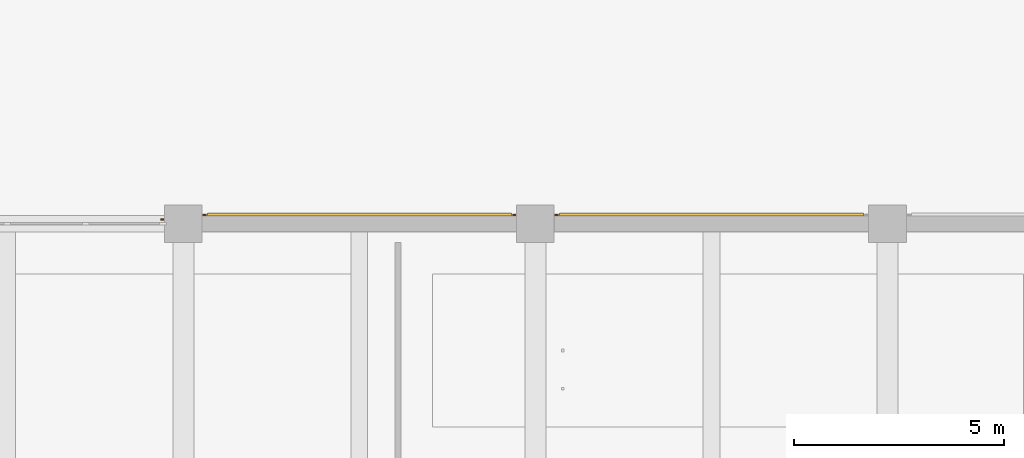
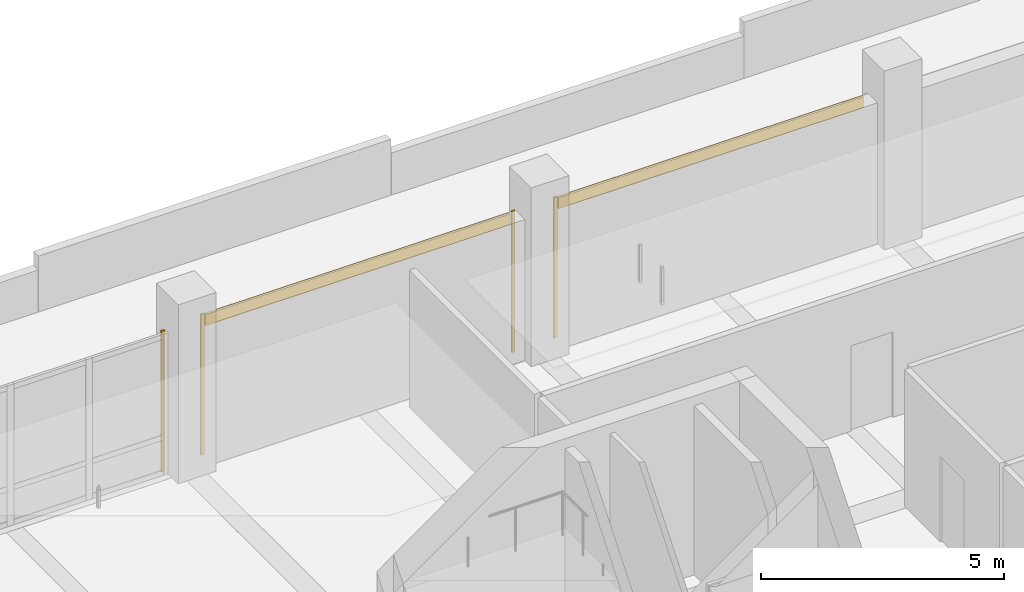
# One storey, part 49 of 59: 6 coverings.
"""IFC4 building model written with IfcOpenShell, lengths in metres."""

from ifc_helpers import new_model, si_unit, direction, frame, origin, origin_2d, place, context, subcontext, project, spatial, rectangle, extrude, material, layer, layer_set, type_object, element, save


model = new_model("IFC4")

# Units and contexts
model_context = context("Model", 3, precision=1e-05, world=origin(), true_north=direction((0.0, 1.0)))
body_context = subcontext(model_context, "Body", "Model", "MODEL_VIEW")
ifc_project = project(units=[si_unit("LENGTHUNIT", "METRE"), si_unit("AREAUNIT", "SQUARE_METRE"), si_unit("VOLUMEUNIT", "CUBIC_METRE"), si_unit("PLANEANGLEUNIT", "RADIAN"), si_unit("MASSUNIT", "GRAM", prefix="KILO")], contexts=[model_context])

# Site, building, storey
site_placement = place(None, origin())
site = spatial("IfcSite", under=ifc_project, at=site_placement, CompositionType="ELEMENT")
building_placement = place(site_placement, origin())
building = spatial("IfcBuilding", under=site, at=building_placement, Name="Telukmera Botanical Conservatory", CompositionType="ELEMENT")
storey_placement = place(building_placement, frame((0.0, 0.0, 15.0)))
storey = spatial("IfcBuildingStorey", under=building, at=storey_placement, Name="L03", CompositionType="ELEMENT", Elevation=15.0)

# Coverings
ifc_material_1 = material(Name="Granite-faced precast concrete C40/50", Category="masonry")
ifc_layer_1 = layer(ifc_material_1, 0.0400390625)
ifc_layer_set_1 = layer_set([ifc_layer_1], Name="Granite-faced precast concrete C40/50")
covering_type_1 = type_object("IfcCoveringType", Name="Granite Precast Column Pier Reveal Casing", PredefinedType="CLADDING", material=ifc_layer_set_1)
for number, where, z_axis, x_axis, name in (
    (1, (58.298095703125, 42.89990234375, 0.0), (0.0, 0.0, 1.0), (1.0, 0.0, 0.0), "Granite Pier Reveal V4:L03:N1 R"),
    (2, (59.302001953125, 43.010009765625, 0.0), (0.0, 0.0, 1.0), (1.0, 0.0, 0.0), "Granite Pier Reveal V4:L03:N2 L"),
    (3, (66.697998046875, 43.010009765625, 0.0), (0.0, 0.0, 1.0), (1.0, 0.0, 0.0), "Granite Pier Reveal V4:L03:N2 R"),
    (4, (67.701904296875, 43.010009765625, 0.0), (0.0, 0.0, 1.0), (1.0, 0.0, 0.0), "Granite Pier Reveal V4:L03:N3 L"),
):
    element("IfcCovering", number, at=place(storey_placement, frame(where, z_axis=z_axis, x_axis=x_axis)), inside=storey, type_object=covering_type_1, Name=name, PredefinedType="CLADDING", context=body_context, shape_type="SweptSolid", body=[
        extrude(rectangle(XDim=0.080078125, YDim=0.0400390625, at=origin_2d()), origin(), (0.0, 0.0, 1.0), 3.550048828125),
    ])
ifc_material_2 = material(Name="Terracotta-faced precast concrete C40/50", Category="masonry")
ifc_layer_2 = layer(ifc_material_2, 0.06005859375)
ifc_layer_set_2 = layer_set([ifc_layer_2], Name="Terracotta-faced precast concrete C40/50")
covering_type_2 = type_object("IfcCoveringType", Name="Polychrome Terracotta Facade Band Cladding", PredefinedType="CLADDING", material=ifc_layer_set_2)
for number, where, z_axis, x_axis, name in (
    (5, (63.0, 43.02001953125, 3.22998046875), (0.0, 0.0, 1.0), (1.0, 0.0, 0.0), "Polychrome Terracotta Band V4:L03:N2"),
    (6, (71.39990234375, 43.02001953125, 3.22998046875), (0.0, 0.0, 1.0), (1.0, 0.0, 0.0), "Polychrome Terracotta Band V4:L03:N3"),
):
    element("IfcCovering", number, at=place(storey_placement, frame(where, z_axis=z_axis, x_axis=x_axis)), inside=storey, type_object=covering_type_2, Name=name, PredefinedType="CLADDING", context=body_context, shape_type="SweptSolid", body=[
        extrude(rectangle(XDim=7.256103515625, YDim=0.06005859375, at=origin_2d()), origin(), (0.0, 0.0, 1.0), 0.280029296875),
    ])

save(model, "model.ifc")
